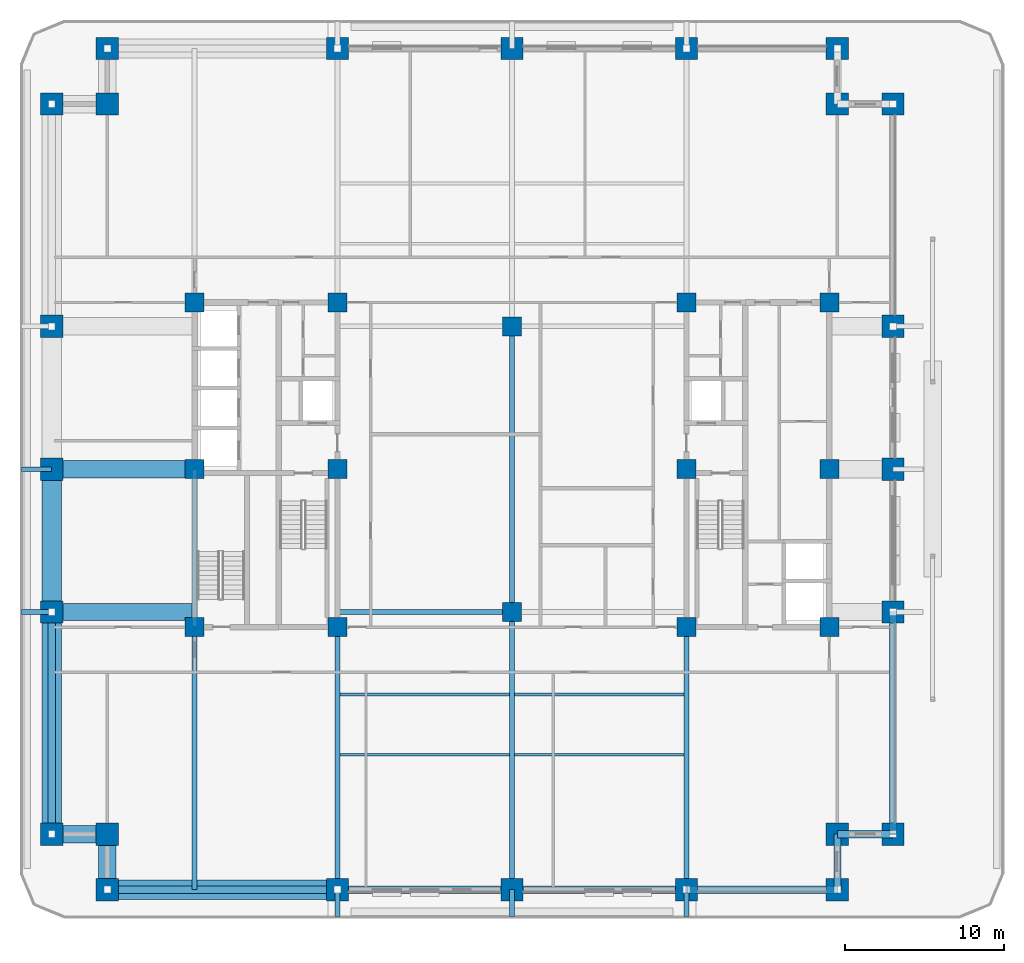
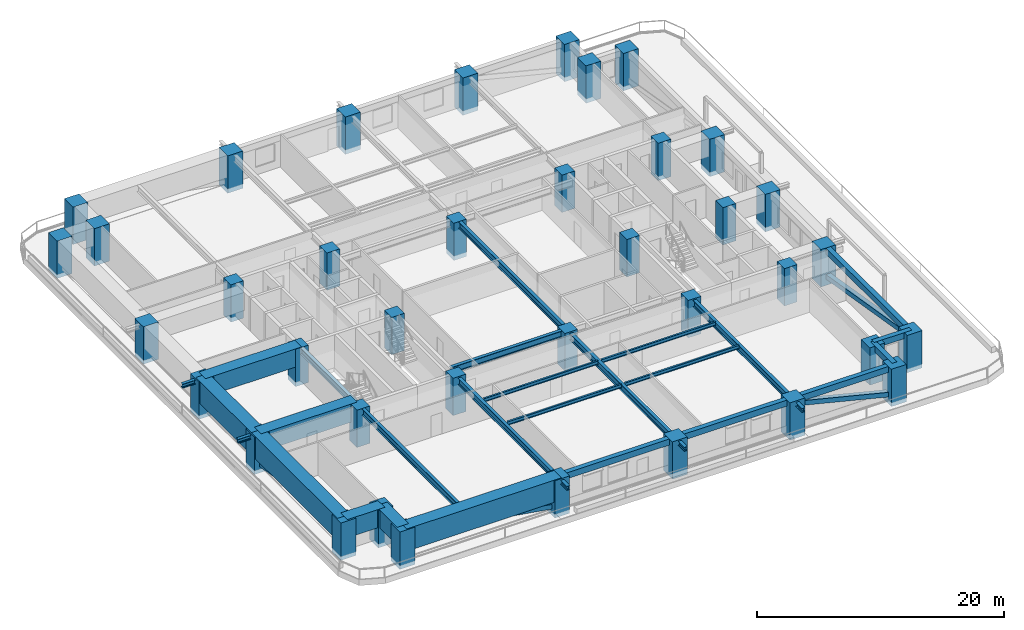
# One storey, part 1 of 18: 38 columns, 29 beams, 4 members.
"""IFC4 building model written with IfcOpenShell, lengths in metres."""

import ifcopenshell
import ifcopenshell.guid

model = None  # the IFC model being written
_history = None  # IfcOwnerHistory: only IFC2X3 demands one
_inside = {}  # id of a spatial element -> (the spatial element, [elements in it])
_under = {}  # id of a project, library or spatial element -> (it, [spatial elements below it])
_declared = {}  # id of a project -> (the project, [libraries it declares])
_typed = {}  # id of a type object -> (the type object, [elements of that type])
_made_of = {}  # id of a material, layer set ... -> (it, [elements and type objects made of it])


def new_model(schema):
    """Start an empty IFC model of exactly this schema.

    Asked for "IFC4X3", IfcOpenShell would pick the latest addendum, in which some entities
    have other attributes; the version numbers below select the first issue.
    IFC2X3 requires an IfcOwnerHistory on every rooted entity: one is made here for all.
    """
    global model, _history
    if schema == "IFC4X3":
        model = ifcopenshell.file(schema_version=(4, 3, 0, 0))
    else:
        model = ifcopenshell.file(schema=schema)
    _inside.clear()
    _under.clear()
    _declared.clear()
    _typed.clear()
    _made_of.clear()
    _history = None
    if model.schema == "IFC2X3":
        org = make("IfcOrganization", Name="unknown")
        user = make(
            "IfcPersonAndOrganization",
            ThePerson=make("IfcPerson", FamilyName="unknown"),
            TheOrganization=org,
        )
        app = make(
            "IfcApplication",
            ApplicationDeveloper=org,
            Version="unknown",
            ApplicationFullName="unknown",
            ApplicationIdentifier="unknown",
        )
        _history = make(
            "IfcOwnerHistory",
            OwningUser=user,
            OwningApplication=app,
            ChangeAction="ADDED",
            CreationDate=0,
        )
    return model


def make(cls, **values):
    """One entity of the class cls with the attributes given. An attribute that is None is left unset."""
    return model.create_entity(
        cls, **{name: value for name, value in values.items() if value is not None}
    )


def rooted(cls, **values):
    """An entity with a GlobalId (a new one), such as an element, a storey or a relation."""
    return make(cls, GlobalId=ifcopenshell.guid.new(), OwnerHistory=_history, **values)


def si_unit(unit_type, name, prefix=None):
    """IfcSIUnit, for example si_unit("LENGTHUNIT", "METRE", prefix="MILLI")."""
    return make("IfcSIUnit", UnitType=unit_type, Prefix=prefix, Name=name)


def assignment(units):
    """IfcUnitAssignment: the units of a project."""
    return None if units is None else make("IfcUnitAssignment", Units=units)


def point(xyz):
    """IfcCartesianPoint."""
    return None if xyz is None else make("IfcCartesianPoint", Coordinates=xyz)


def direction(xyz):
    """IfcDirection."""
    return None if xyz is None else make("IfcDirection", DirectionRatios=xyz)


def frame(location, z_axis=None, x_axis=None):
    """IfcAxis2Placement3D, a coordinate frame: its origin and axes. An axis left out is left unset."""
    return make(
        "IfcAxis2Placement3D",
        Location=point(location),
        Axis=direction(z_axis),
        RefDirection=direction(x_axis),
    )


def frame_2d(location, x_axis=None):
    """IfcAxis2Placement2D, a coordinate frame in the plane: its origin and x axis."""
    return make(
        "IfcAxis2Placement2D", Location=point(location), RefDirection=direction(x_axis)
    )


def origin():
    """The frame at (0, 0, 0) with its axes left unset."""
    return frame((0.0, 0.0, 0.0))


def origin_2d():
    """The frame at (0, 0) in the plane with its x axis left unset."""
    return frame_2d((0.0, 0.0))


def place(relative_to, where):
    """IfcLocalPlacement: puts the frame where relative to a parent placement (None: the world)."""
    return make(
        "IfcLocalPlacement", PlacementRelTo=relative_to, RelativePlacement=where
    )


def context(
    kind, dimensions, precision=None, world=None, true_north=None, identifier=None
):
    """IfcGeometricRepresentationContext, for example the 3D "Model" context."""
    return make(
        "IfcGeometricRepresentationContext",
        ContextIdentifier=identifier,
        ContextType=kind,
        CoordinateSpaceDimension=dimensions,
        Precision=precision,
        WorldCoordinateSystem=world,
        TrueNorth=true_north,
    )


def subcontext(parent, identifier, kind, view, scale=None):
    """IfcGeometricRepresentationSubContext, for example "Body" below "Model"."""
    return make(
        "IfcGeometricRepresentationSubContext",
        ContextIdentifier=identifier,
        ContextType=kind,
        ParentContext=parent,
        TargetScale=scale,
        TargetView=view,
    )


def project(units=None, contexts=None):
    """IfcProject with its units and contexts."""
    return rooted(
        "IfcProject",
        Name="project",
        RepresentationContexts=contexts,
        UnitsInContext=assignment(units),
    )


def spatial(cls, under=None, at=None, **own):
    """A site, building, storey or space (cls), placed at a placement, below another one or the project."""
    s = rooted(cls, ObjectPlacement=at, **own)
    if under is not None:
        _under.setdefault(under.id(), (under, []))[1].append(s)
    return s


def profile(cls, at=None, kind="AREA", **sizes):
    """A parametric profile (cls). Its sizes go by their IFC names, for example OverallWidth=200.0."""
    return make(cls, ProfileType=kind, Position=at, **sizes)


def rectangle(**sizes):
    """IfcRectangleProfileDef."""
    return profile("IfcRectangleProfileDef", **sizes)


def hollow_rectangle(**sizes):
    """IfcRectangleHollowProfileDef."""
    return profile("IfcRectangleHollowProfileDef", **sizes)


def i_section(**sizes):
    """IfcIShapeProfileDef."""
    return profile("IfcIShapeProfileDef", **sizes)


def extrude(swept, where, along, depth):
    """IfcExtrudedAreaSolid: the profile swept, set in the frame where, extruded along a direction by depth."""
    return make(
        "IfcExtrudedAreaSolid",
        SweptArea=swept,
        Position=where,
        ExtrudedDirection=direction(along),
        Depth=depth,
    )


def shape(context_of_items, identifier, shape_type, items):
    """IfcShapeRepresentation: the items that make up one representation, for example the "Body"."""
    return make(
        "IfcShapeRepresentation",
        ContextOfItems=context_of_items,
        RepresentationIdentifier=identifier,
        RepresentationType=shape_type,
        Items=items,
    )


def material(Name=None, Category=None):
    """IfcMaterial."""
    return make("IfcMaterial", Name=Name, Category=Category)


def material_profile(
    of_material, cross_section, Name=None, Category=None, Priority=None
):
    """IfcMaterialProfile: a cross section and its material."""
    return make(
        "IfcMaterialProfile",
        Name=Name,
        Material=of_material,
        Profile=cross_section,
        Priority=Priority,
        Category=Category,
    )


def profile_set(profiles, Name=None, composite=None):
    """IfcMaterialProfileSet."""
    return make(
        "IfcMaterialProfileSet",
        Name=Name,
        MaterialProfiles=profiles,
        CompositeProfile=composite,
    )


def made_of(thing, what):
    """Note that an element or type object is made of a material, layer set ...; save() writes the relation."""
    if what is not None:
        _made_of.setdefault(what.id(), (what, []))[1].append(thing)
    return thing


def type_object(cls, material=None, **own):
    """A type object (cls), such as IfcWallType, which elements share."""
    return made_of(rooted(cls, **own), material)


def element(
    cls,
    number,
    at=None,
    inside=None,
    cuts=None,
    type_object=None,
    material=None,
    context=None,
    identifier="Body",
    shape_type=None,
    held_by="IfcProductDefinitionShape",
    body=None,
    shapes=None,
    **own,
):
    """One element of the class cls, such as IfcWall. Its Tag is "e" and its number.

    at: its placement. inside: the storey or other place that contains it. cuts: it is an
    opening in that element (IfcRelVoidsElement). A single representation is given by context,
    identifier, shape_type and body (its items); several are given by shapes. held_by: the class
    of the entity that holds the representations. save() writes the other relations.
    """
    e = rooted(cls, Tag="e%d" % number, ObjectPlacement=at, **own)
    if body is not None:
        shapes = [shape(context, identifier, shape_type, body)]
    if shapes is not None:
        e.Representation = make(held_by, Representations=shapes)
    if inside is not None:
        _inside.setdefault(inside.id(), (inside, []))[1].append(e)
    if cuts is not None:
        rooted(
            "IfcRelVoidsElement", RelatingBuildingElement=cuts, RelatedOpeningElement=e
        )
    if type_object is not None:
        _typed.setdefault(type_object.id(), (type_object, []))[1].append(e)
    return made_of(e, material)


def aggregate(whole, parts):
    """IfcRelAggregates: a whole, such as a stair, and the parts it consists of."""
    return rooted("IfcRelAggregates", RelatingObject=whole, RelatedObjects=parts)


def save(model, path):
    """Write the relations noted so far, then the file.

    IfcRelAggregates (storeys below a building ...), IfcRelContainedInSpatialStructure (elements
    in a storey), IfcRelDefinesByType, IfcRelAssociatesMaterial and IfcRelDeclares: one each for
    every whole, place, type object, material and project.
    """
    for whole, parts in _under.values():
        aggregate(whole, parts)
    for where, things in _inside.values():
        rooted(
            "IfcRelContainedInSpatialStructure",
            RelatedElements=things,
            RelatingStructure=where,
        )
    for kind, things in _typed.values():
        rooted("IfcRelDefinesByType", RelatedObjects=things, RelatingType=kind)
    for what, things in _made_of.values():
        rooted("IfcRelAssociatesMaterial", RelatedObjects=things, RelatingMaterial=what)
    for by, libraries in _declared.values():
        rooted("IfcRelDeclares", RelatingContext=by, RelatedDefinitions=libraries)
    model.write(path)


model = new_model("IFC4")

# Units and contexts
model_context = context("Model", 3, precision=1e-05, world=origin(), true_north=direction((0.0, 1.0)))
body_context = subcontext(model_context, "Body", "Model", "MODEL_VIEW")
ifc_project = project(units=[si_unit("LENGTHUNIT", "METRE"), si_unit("AREAUNIT", "SQUARE_METRE"), si_unit("VOLUMEUNIT", "CUBIC_METRE"), si_unit("PLANEANGLEUNIT", "RADIAN"), si_unit("MASSUNIT", "GRAM", prefix="KILO")], contexts=[model_context])

# Site, building, storey
site_placement = place(None, origin())
site = spatial("IfcSite", under=ifc_project, at=site_placement, CompositionType="ELEMENT")
building_placement = place(site_placement, origin())
building = spatial("IfcBuilding", under=site, at=building_placement, Name="Zulmaris Gate Convention Tower", CompositionType="ELEMENT")
storey_placement = place(building_placement, frame((0.0, 0.0, 57.18994140625)))
storey = spatial("IfcBuildingStorey", under=building, at=storey_placement, Name="L13", CompositionType="ELEMENT", Elevation=57.18994140625)

# Columns
ifc_material_1 = material(Name="Concrete C70/85", Category="concrete")
ifc_material_profile_1 = material_profile(ifc_material_1, rectangle(XDim=1.199951171875, YDim=1.199951171875, at=origin_2d()), Name="RC COL 1200x1200")
ifc_profile_set_1 = profile_set([ifc_material_profile_1], Name="Concrete C70/85")
column_type_1 = type_object("IfcColumnType", Name="COL-RC1200", PredefinedType="COLUMN", material=ifc_profile_set_1)
for number, where, z_axis, x_axis, name in (
    (1, (-20.0, -9.949951171875, -0.425048828125), (0.0, 0.0, 1.0), (1.0, 0.0, 0.0), "L13 Column IN--20.00_-9.95"),
    (2, (-20.0, 10.5, -0.425048828125), (0.0, 0.0, 1.0), (1.0, 0.0, 0.0), "L13 Column IN--20.00_+10.50"),
    (3, (-11.0, -9.949951171875, -0.425048828125), (0.0, 0.0, 1.0), (1.0, 0.0, 0.0), "L13 Column IN--11.00_-9.95"),
    (4, (-11.0, 0.0, -0.425048828125), (0.0, 0.0, 1.0), (1.0, 0.0, 0.0), "L13 Column IN--11.00_+0.00"),
    (5, (-11.0, 10.5, -0.425048828125), (0.0, 0.0, 1.0), (1.0, 0.0, 0.0), "L13 Column IN--11.00_+10.50"),
    (6, (11.0, -9.949951171875, -0.425048828125), (0.0, 0.0, 1.0), (1.0, 0.0, 0.0), "L13 Column IN-+11.00_-9.95"),
    (7, (11.0, 0.0, -0.425048828125), (0.0, 0.0, 1.0), (1.0, 0.0, 0.0), "L13 Column IN-+11.00_+0.00"),
    (8, (11.0, 10.5, -0.425048828125), (0.0, 0.0, 1.0), (1.0, 0.0, 0.0), "L13 Column IN-+11.00_+10.50"),
    (9, (20.0, -9.949951171875, -0.425048828125), (0.0, 0.0, 1.0), (1.0, 0.0, 0.0), "L13 Column IN-+20.00_-9.95"),
    (10, (20.0, 10.5, -0.425048828125), (0.0, 0.0, 1.0), (1.0, 0.0, 0.0), "L13 Column IN-+20.00_+10.50"),
    (11, (0.0, -9.0, -0.425048828125), (0.0, 0.0, 1.0), (1.0, 0.0, 0.0), "L13 Column IN-+0.00_-9.00"),
    (12, (0.0, 9.0, -0.425048828125), (0.0, 0.0, 1.0), (1.0, 0.0, 0.0), "L13 Column IN-+0.00_+9.00"),
    (13, (-20.0, 0.0, -0.425048828125), (0.0, 0.0, 1.0), (1.0, 0.0, 0.0), "L13 Column IN--20.00_+0.00"),
    (14, (20.0, 0.0, -0.425048828125), (0.0, 0.0, 1.0), (1.0, 0.0, 0.0), "L13 Column IN-+20.00_+0.00"),
):
    element("IfcColumn", number, at=place(storey_placement, frame(where, z_axis=z_axis, x_axis=x_axis)), inside=storey, type_object=column_type_1, Name=name, PredefinedType="COLUMN", context=body_context, shape_type="SweptSolid", body=[
        extrude(rectangle(XDim=1.199951171875, YDim=1.199951171875, at=origin_2d()), origin(), (0.0, 0.0, 1.0), 3.695068359375),
    ])
ifc_material_2 = material(Name="Concrete C80/95", Category="concrete")
ifc_material_profile_2 = material_profile(ifc_material_2, rectangle(XDim=1.39990234375, YDim=1.39990234375, at=origin_2d()), Name="RC COL 1400x1400")
ifc_profile_set_2 = profile_set([ifc_material_profile_2], Name="Concrete C80/95")
column_type_2 = type_object("IfcColumnType", Name="COL-RC1400", PredefinedType="COLUMN", material=ifc_profile_set_2)
for number, where, z_axis, x_axis, name in (
    (15, (-25.5, -26.5, -0.425048828125), (0.0, 0.0, 1.0), (1.0, 0.0, 0.0), "L13 Column PT--25.50_-26.50"),
    (16, (-11.0, -26.5, -0.425048828125), (0.0, 0.0, 1.0), (1.0, 0.0, 0.0), "L13 Column PT--11.00_-26.50"),
    (17, (0.0, -26.5, -0.425048828125), (0.0, 0.0, 1.0), (1.0, 0.0, 0.0), "L13 Column PT-+0.00_-26.50"),
    (18, (11.0, -26.5, -0.425048828125), (0.0, 0.0, 1.0), (1.0, 0.0, 0.0), "L13 Column PT-+11.00_-26.50"),
    (19, (20.5, -26.5, -0.425048828125), (0.0, 0.0, 1.0), (1.0, 0.0, 0.0), "L13 Column PT-+20.50_-26.50"),
    (20, (-25.5, 26.5, -0.425048828125), (0.0, 0.0, 1.0), (1.0, 0.0, 0.0), "L13 Column PT--25.50_+26.50"),
    (21, (-11.0, 26.5, -0.425048828125), (0.0, 0.0, 1.0), (1.0, 0.0, 0.0), "L13 Column PT--11.00_+26.50"),
    (22, (0.0, 26.5, -0.425048828125), (0.0, 0.0, 1.0), (1.0, 0.0, 0.0), "L13 Column PT-+0.00_+26.50"),
    (23, (11.0, 26.5, -0.425048828125), (0.0, 0.0, 1.0), (1.0, 0.0, 0.0), "L13 Column PT-+11.00_+26.50"),
    (24, (20.5, 26.5, -0.425048828125), (0.0, 0.0, 1.0), (1.0, 0.0, 0.0), "L13 Column PT-+20.50_+26.50"),
    (25, (-29.0, -23.0, -0.425048828125), (0.0, 0.0, 1.0), (1.0, 0.0, 0.0), "L13 Column PT--29.00_-23.00"),
    (26, (-29.0, -9.0, -0.425048828125), (0.0, 0.0, 1.0), (1.0, 0.0, 0.0), "L13 Column PT--29.00_-9.00"),
    (27, (-29.0, 0.0, -0.425048828125), (0.0, 0.0, 1.0), (1.0, 0.0, 0.0), "L13 Column PT--29.00_+0.00"),
    (28, (-29.0, 9.0, -0.425048828125), (0.0, 0.0, 1.0), (1.0, 0.0, 0.0), "L13 Column PT--29.00_+9.00"),
    (29, (-29.0, 23.0, -0.425048828125), (0.0, 0.0, 1.0), (1.0, 0.0, 0.0), "L13 Column PT--29.00_+23.00"),
    (30, (24.0, -23.0, -0.425048828125), (0.0, 0.0, 1.0), (1.0, 0.0, 0.0), "L13 Column PT-+24.00_-23.00"),
    (31, (24.0, -9.0, -0.425048828125), (0.0, 0.0, 1.0), (1.0, 0.0, 0.0), "L13 Column PT-+24.00_-9.00"),
    (32, (24.0, 0.0, -0.425048828125), (0.0, 0.0, 1.0), (1.0, 0.0, 0.0), "L13 Column PT-+24.00_+0.00"),
    (33, (24.0, 9.0, -0.425048828125), (0.0, 0.0, 1.0), (1.0, 0.0, 0.0), "L13 Column PT-+24.00_+9.00"),
    (34, (24.0, 23.0, -0.425048828125), (0.0, 0.0, 1.0), (1.0, 0.0, 0.0), "L13 Column PT-+24.00_+23.00"),
    (35, (-25.5, -23.0, -0.425048828125), (0.0, 0.0, 1.0), (1.0, 0.0, 0.0), "L13 Column PT--25.50_-23.00"),
    (36, (20.5, -23.0, -0.425048828125), (0.0, 0.0, 1.0), (1.0, 0.0, 0.0), "L13 Column PT-+20.50_-23.00"),
    (37, (20.5, 23.0, -0.425048828125), (0.0, 0.0, 1.0), (1.0, 0.0, 0.0), "L13 Column PT-+20.50_+23.00"),
    (38, (-25.5, 23.0, -0.425048828125), (0.0, 0.0, 1.0), (1.0, 0.0, 0.0), "L13 Column PT--25.50_+23.00"),
):
    element("IfcColumn", number, at=place(storey_placement, frame(where, z_axis=z_axis, x_axis=x_axis)), inside=storey, type_object=column_type_2, Name=name, PredefinedType="COLUMN", context=body_context, shape_type="SweptSolid", body=[
        extrude(rectangle(XDim=1.39990234375, YDim=1.39990234375, at=origin_2d()), origin(), (0.0, 0.0, 1.0), 3.695068359375),
    ])

# Beams
ifc_material_3 = material(Name="Steel S355", Category="steel")
ifc_material_profile_3 = material_profile(ifc_material_3, i_section(OverallWidth=0.300048828125, OverallDepth=0.39990234375, WebThickness=0.013427734375, FlangeThickness=0.02392578125, FilletRadius=0.027099609375, at=origin_2d()), Name="HEB 400")
ifc_profile_set_3 = profile_set([ifc_material_profile_3], Name="Steel S355")
beam_type_1 = type_object("IfcBeamType", Name="BM-HEB400", PredefinedType="BEAM", material=ifc_profile_set_3)
for number, where, z_axis, x_axis, name in (
    (39, (-11.0, -28.199951171875, 2.93017578125), (0.0, 1.0, 0.0), (-1.0, 0.0, 0.0), "L13 Beam TBRK-L13-S--11"),
    (40, (0.0, -28.199951171875, 2.93017578125), (0.0, 1.0, 0.0), (-1.0, 0.0, 0.0), "L13 Beam TBRK-L13-S-+0"),
    (41, (11.0, -28.199951171875, 2.93017578125), (0.0, 1.0, 0.0), (-1.0, 0.0, 0.0), "L13 Beam TBRK-L13-S-+11"),
):
    element("IfcBeam", number, at=place(storey_placement, frame(where, z_axis=z_axis, x_axis=x_axis)), inside=storey, type_object=beam_type_1, Name=name, PredefinedType="BEAM", context=body_context, shape_type="SweptSolid", body=[
        extrude(i_section(OverallWidth=0.300048828125, OverallDepth=0.39990234375, WebThickness=0.013427734375, FlangeThickness=0.02392578125, FilletRadius=0.027099609375, at=origin_2d()), origin(), (0.0, 0.0, 1.0), 1.699951171875),
    ])
for number, where, z_axis, x_axis, name in (
    (42, (-30.89990234375, -9.0, 2.93017578125), (1.0, 0.0, 0.0), (0.0, 1.0, 0.0), "L13 Beam TBRK-L13-W--9"),
    (43, (-30.89990234375, 0.0, 2.93017578125), (1.0, 0.0, 0.0), (0.0, 1.0, 0.0), "L13 Beam TBRK-L13-W-+0"),
):
    element("IfcBeam", number, at=place(storey_placement, frame(where, z_axis=z_axis, x_axis=x_axis)), inside=storey, type_object=beam_type_1, Name=name, PredefinedType="BEAM", context=body_context, shape_type="SweptSolid", body=[
        extrude(i_section(OverallWidth=0.300048828125, OverallDepth=0.39990234375, WebThickness=0.013427734375, FlangeThickness=0.02392578125, FilletRadius=0.027099609375, at=origin_2d()), origin(), (0.0, 0.0, 1.0), 1.89990234375),
    ])
ifc_material_profile_4 = material_profile(ifc_material_3, i_section(OverallWidth=0.300048828125, OverallDepth=0.64990234375, WebThickness=0.01611328125, FlangeThickness=0.031005859375, FilletRadius=0.027099609375, at=origin_2d()), Name="HEB 650")
ifc_profile_set_4 = profile_set([ifc_material_profile_4], Name="Steel S355")
beam_type_2 = type_object("IfcBeamType", Name="BM-HEB650", PredefinedType="BEAM", material=ifc_profile_set_4)
beam_1_placement = place(storey_placement, frame((-11.0, -9.0, 2.943115234375), z_axis=(1.0, 0.0, 0.0), x_axis=(0.0, 1.0, 0.0)))
element("IfcBeam", 44, at=beam_1_placement, inside=storey, type_object=beam_type_2, Name="L13 Beam BM-L13-G01", PredefinedType="BEAM", context=body_context, shape_type="SweptSolid", body=[
    extrude(i_section(OverallWidth=0.300048828125, OverallDepth=0.64990234375, WebThickness=0.01611328125, FlangeThickness=0.031005859375, FilletRadius=0.027099609375, at=origin_2d()), origin(), (0.0, 0.0, 1.0), 11.0),
])
beam_2_placement = place(storey_placement, frame((0.0, -26.5, 2.818115234375), z_axis=(0.0, 1.0, 0.0), x_axis=(-1.0, 0.0, 0.0)))
element("IfcBeam", 45, at=beam_2_placement, inside=storey, type_object=beam_type_2, Name="L13 Beam BM-L13-G05", PredefinedType="BEAM", context=body_context, shape_type="SweptSolid", body=[
    extrude(i_section(OverallWidth=0.300048828125, OverallDepth=0.64990234375, WebThickness=0.01611328125, FlangeThickness=0.031005859375, FilletRadius=0.027099609375, at=origin_2d()), origin(), (0.0, 0.0, 1.0), 17.5),
])
beam_3_placement = place(storey_placement, frame((0.0, -9.0, 2.943115234375), z_axis=(0.0, 1.0, 0.0), x_axis=(-1.0, 0.0, 0.0)))
element("IfcBeam", 46, at=beam_3_placement, inside=storey, type_object=beam_type_2, Name="L13 Beam BM-L13-G06", PredefinedType="BEAM", context=body_context, shape_type="SweptSolid", body=[
    extrude(i_section(OverallWidth=0.300048828125, OverallDepth=0.64990234375, WebThickness=0.01611328125, FlangeThickness=0.031005859375, FilletRadius=0.027099609375, at=origin_2d()), origin(), (0.0, 0.0, 1.0), 18.0),
])
for number, where, z_axis, x_axis, name in (
    (47, (-11.0, -26.5, 2.818115234375), (0.0, 1.0, 0.0), (-1.0, 0.0, 0.0), "L13 Beam BM-L13-G08"),
    (48, (11.0, -26.5, 2.818115234375), (0.0, 1.0, 0.0), (-1.0, 0.0, 0.0), "L13 Beam BM-L13-G10"),
    (49, (-20.0, -26.5, 2.943115234375), (0.0, 1.0, 0.0), (-1.0, 0.0, 0.0), "L13 Beam BM-L13-G12"),
):
    element("IfcBeam", number, at=place(storey_placement, frame(where, z_axis=z_axis, x_axis=x_axis)), inside=storey, type_object=beam_type_2, Name=name, PredefinedType="BEAM", context=body_context, shape_type="SweptSolid", body=[
        extrude(i_section(OverallWidth=0.300048828125, OverallDepth=0.64990234375, WebThickness=0.01611328125, FlangeThickness=0.031005859375, FilletRadius=0.027099609375, at=origin_2d()), origin(), (0.0, 0.0, 1.0), 16.550048828125),
    ])
beam_4_placement = place(storey_placement, frame((-20.0, -9.949951171875, 2.943115234375), z_axis=(0.0, 1.0, 0.0), x_axis=(-1.0, 0.0, 0.0)))
element("IfcBeam", 50, at=beam_4_placement, inside=storey, type_object=beam_type_2, Name="L13 Beam BM-L13-G26", PredefinedType="BEAM", context=body_context, shape_type="SweptSolid", body=[
    extrude(i_section(OverallWidth=0.300048828125, OverallDepth=0.64990234375, WebThickness=0.01611328125, FlangeThickness=0.031005859375, FilletRadius=0.027099609375, at=origin_2d()), origin(), (0.0, 0.0, 1.0), 9.949951171875),
])
ifc_material_4 = material(Name="Precast concrete C50/60", Category="concrete")
ifc_material_profile_5 = material_profile(ifc_material_4, rectangle(XDim=0.449951171875, YDim=0.60009765625, at=origin_2d()), Name="RC SPANDREL 450x600")
ifc_profile_set_5 = profile_set([ifc_material_profile_5], Name="Precast concrete C50/60")
beam_type_3 = type_object("IfcBeamType", Name="BM-SP450x600", PredefinedType="SPANDREL", material=ifc_profile_set_5)
for number, where, z_axis, x_axis, name in (
    (51, (-11.0, -26.5, 2.969970703125), (1.0, 0.0, 0.0), (0.0, 1.0, 0.0), "L13 Spandrel SP-L13-02"),
    (52, (0.0, -26.5, 2.969970703125), (1.0, 0.0, 0.0), (0.0, 1.0, 0.0), "L13 Spandrel SP-L13-03"),
):
    element("IfcBeam", number, at=place(storey_placement, frame(where, z_axis=z_axis, x_axis=x_axis)), inside=storey, type_object=beam_type_3, Name=name, PredefinedType="SPANDREL", context=body_context, shape_type="SweptSolid", body=[
        extrude(rectangle(XDim=0.449951171875, YDim=0.60009765625, at=origin_2d()), origin(), (0.0, 0.0, 1.0), 11.0),
    ])
beam_5_placement = place(storey_placement, frame((11.0, -26.5, 2.969970703125), z_axis=(1.0, 0.0, 0.0), x_axis=(0.0, 1.0, 0.0)))
element("IfcBeam", 53, at=beam_5_placement, inside=storey, type_object=beam_type_3, Name="L13 Spandrel SP-L13-04", PredefinedType="SPANDREL", context=body_context, shape_type="SweptSolid", body=[
    extrude(rectangle(XDim=0.449951171875, YDim=0.60009765625, at=origin_2d()), origin(), (0.0, 0.0, 1.0), 9.5),
])
for number, where, z_axis, x_axis, name in (
    (54, (20.5, -26.5, 2.969970703125), (0.0, 1.0, 0.0), (-1.0, 0.0, 0.0), "L13 Spandrel SP-L13-05"),
    (55, (20.5, -23.0, 2.969970703125), (1.0, 0.0, 0.0), (0.0, 1.0, 0.0), "L13 Spandrel SP-L13-06"),
):
    element("IfcBeam", number, at=place(storey_placement, frame(where, z_axis=z_axis, x_axis=x_axis)), inside=storey, type_object=beam_type_3, Name=name, PredefinedType="SPANDREL", context=body_context, shape_type="SweptSolid", body=[
        extrude(rectangle(XDim=0.449951171875, YDim=0.60009765625, at=origin_2d()), origin(), (0.0, 0.0, 1.0), 3.5),
    ])
beam_6_placement = place(storey_placement, frame((24.0, -23.0, 2.969970703125), z_axis=(0.0, 1.0, 0.0), x_axis=(-1.0, 0.0, 0.0)))
element("IfcBeam", 56, at=beam_6_placement, inside=storey, type_object=beam_type_3, Name="L13 Spandrel SP-L13-07", PredefinedType="SPANDREL", context=body_context, shape_type="SweptSolid", body=[
    extrude(rectangle(XDim=0.449951171875, YDim=0.60009765625, at=origin_2d()), origin(), (0.0, 0.0, 1.0), 14.0),
])
ifc_material_profile_6 = material_profile(ifc_material_2, rectangle(XDim=1.10009765625, YDim=1.800048828125, at=origin_2d()), Name="RC TRANSFER 1100x1800")
ifc_profile_set_6 = profile_set([ifc_material_profile_6], Name="Concrete C80/95")
beam_type_4 = type_object("IfcBeamType", Name="BM-XFER1800", PredefinedType="BEAM", material=ifc_profile_set_6)
for number, where, z_axis, x_axis, name in (
    (57, (-29.0, -23.0, 2.3701171875), (1.0, 0.0, 0.0), (0.0, 1.0, 0.0), "L13 Beam SP-L13-23"),
    (58, (-25.5, -23.0, 2.3701171875), (0.0, -1.0, 0.0), (1.0, 0.0, 0.0), "L13 Beam SP-L13-24"),
):
    element("IfcBeam", number, at=place(storey_placement, frame(where, z_axis=z_axis, x_axis=x_axis)), inside=storey, type_object=beam_type_4, Name=name, PredefinedType="BEAM", context=body_context, shape_type="SweptSolid", body=[
        extrude(rectangle(XDim=1.10009765625, YDim=1.800048828125, at=origin_2d()), origin(), (0.0, 0.0, 1.0), 3.5),
    ])
for number, where, z_axis, x_axis, name in (
    (59, (-29.0, -9.0, 2.3701171875), (1.0, 0.0, 0.0), (0.0, 1.0, 0.0), "L13 Beam BM-L13-G16"),
    (60, (-29.0, 0.0, 2.3701171875), (1.0, 0.0, 0.0), (0.0, 1.0, 0.0), "L13 Beam BM-L13-G17"),
):
    element("IfcBeam", number, at=place(storey_placement, frame(where, z_axis=z_axis, x_axis=x_axis)), inside=storey, type_object=beam_type_4, Name=name, PredefinedType="BEAM", context=body_context, shape_type="SweptSolid", body=[
        extrude(rectangle(XDim=1.10009765625, YDim=1.800048828125, at=origin_2d()), origin(), (0.0, 0.0, 1.0), 9.0),
    ])
ifc_material_profile_7 = material_profile(ifc_material_2, rectangle(XDim=1.199951171875, YDim=2.199951171875, at=origin_2d()), Name="RC TRANSFER 1200x2200")
ifc_profile_set_7 = profile_set([ifc_material_profile_7], Name="Concrete C80/95")
beam_type_5 = type_object("IfcBeamType", Name="BM-XFER2200", PredefinedType="BEAM", material=ifc_profile_set_7)
beam_7_placement = place(storey_placement, frame((-25.5, -26.5, 2.170166015625), z_axis=(1.0, 0.0, 0.0), x_axis=(0.0, 1.0, 0.0)))
element("IfcBeam", 61, at=beam_7_placement, inside=storey, type_object=beam_type_5, Name="L13 Beam SP-L13-01", PredefinedType="BEAM", context=body_context, shape_type="SweptSolid", body=[
    extrude(rectangle(XDim=1.199951171875, YDim=2.199951171875, at=origin_2d()), origin(), (0.0, 0.0, 1.0), 14.5),
])
beam_8_placement = place(storey_placement, frame((-29.0, 0.0, 2.170166015625), z_axis=(0.0, -1.0, 0.0), x_axis=(1.0, 0.0, 0.0)))
element("IfcBeam", 62, at=beam_8_placement, inside=storey, type_object=beam_type_5, Name="L13 Beam SP-L13-21", PredefinedType="BEAM", context=body_context, shape_type="SweptSolid", body=[
    extrude(rectangle(XDim=1.199951171875, YDim=2.199951171875, at=origin_2d()), origin(), (0.0, 0.0, 1.0), 9.0),
])
beam_9_placement = place(storey_placement, frame((-29.0, -9.0, 2.170166015625), z_axis=(0.0, -1.0, 0.0), x_axis=(1.0, 0.0, 0.0)))
element("IfcBeam", 63, at=beam_9_placement, inside=storey, type_object=beam_type_5, Name="L13 Beam SP-L13-22", PredefinedType="BEAM", context=body_context, shape_type="SweptSolid", body=[
    extrude(rectangle(XDim=1.199951171875, YDim=2.199951171875, at=origin_2d()), origin(), (0.0, 0.0, 1.0), 14.0),
])

# Members
ifc_material_5 = material(Name="Steel S460", Category="steel")
ifc_material_profile_8 = material_profile(ifc_material_5, hollow_rectangle(XDim=0.449951171875, YDim=0.449951171875, WallThickness=0.02490234375, at=origin_2d()), Name="SHS 450x450x25")
ifc_profile_set_8 = profile_set([ifc_material_profile_8], Name="Steel S460")
member_type = type_object("IfcMemberType", Name="BR-SHS450", PredefinedType="BRACE", material=ifc_profile_set_8)
for number, where, z_axis, x_axis, name in (
    (64, (-29.0, -9.0, 0.300048828125), (0.0, -0.986201752628, 0.165547887674), (1.0, 0.0, 0.0), "L13 Perimeter Tube Diagonal SW-W"),
    (65, (24.0, -9.0, 0.300048828125), (0.0, -0.986201752628, 0.165547887674), (1.0, 0.0, 0.0), "L13 Perimeter Tube Diagonal SE-E"),
):
    element("IfcMember", number, at=place(storey_placement, frame(where, z_axis=z_axis, x_axis=x_axis)), inside=storey, type_object=member_type, Name=name, PredefinedType="BRACE", context=body_context, shape_type="SweptSolid", body=[
        extrude(hollow_rectangle(XDim=0.449951171875, YDim=0.449951171875, WallThickness=0.02490234375, at=origin_2d()), origin(), (0.0, 0.0, 1.0), 14.19580078125),
    ])
member_1_placement = place(storey_placement, frame((-11.0, -26.5, 0.300048828125), z_axis=(-0.987118959838, 0.0, 0.159987996825), x_axis=(0.0, -1.0, 0.0)))
element("IfcMember", 66, at=member_1_placement, inside=storey, type_object=member_type, Name="L13 Perimeter Tube Diagonal SW-S", PredefinedType="BRACE", context=body_context, shape_type="SweptSolid", body=[
    extrude(hollow_rectangle(XDim=0.449951171875, YDim=0.449951171875, WallThickness=0.02490234375, at=origin_2d()), origin(), (0.0, 0.0, 1.0), 14.689208984375),
])
member_2_placement = place(storey_placement, frame((20.5, -26.5, 0.300048828125), z_axis=(-0.97073827245, 0.0, 0.240139972518), x_axis=(0.0, -1.0, 0.0)))
element("IfcMember", 67, at=member_2_placement, inside=storey, type_object=member_type, Name="L13 Perimeter Tube Diagonal SE-S", PredefinedType="BRACE", context=body_context, shape_type="SweptSolid", body=[
    extrude(hollow_rectangle(XDim=0.449951171875, YDim=0.449951171875, WallThickness=0.02490234375, at=origin_2d()), origin(), (0.0, 0.0, 1.0), 9.786376953125),
])

# Beams
ifc_material_profile_9 = material_profile(ifc_material_3, i_section(OverallWidth=0.169921875, OverallDepth=0.360107421875, WebThickness=0.008056640625, FlangeThickness=0.0126953125, FilletRadius=0.01806640625, at=origin_2d()), Name="IPE 360")
ifc_profile_set_9 = profile_set([ifc_material_profile_9], Name="Steel S355")
beam_type_6 = type_object("IfcBeamType", Name="JT-IPE360", PredefinedType="JOIST", material=ifc_profile_set_9)
for number, where, z_axis, x_axis, name in (
    (68, (-10.85009765625, -18.0, 3.088134765625), (1.0, 0.0, 0.0), (0.0, 1.0, 0.0), "L13 Joist JT-L13-CW--18.0"),
    (69, (0.14990234375, -18.0, 3.088134765625), (1.0, 0.0, 0.0), (0.0, 1.0, 0.0), "L13 Joist JT-L13-CE--18.0"),
    (70, (-10.85009765625, -14.199951171875, 3.088134765625), (1.0, 0.0, 0.0), (0.0, 1.0, 0.0), "L13 Joist JT-L13-CW--14.2"),
    (71, (0.14990234375, -14.199951171875, 3.088134765625), (1.0, 0.0, 0.0), (0.0, 1.0, 0.0), "L13 Joist JT-L13-CE--14.2"),
):
    element("IfcBeam", number, at=place(storey_placement, frame(where, z_axis=z_axis, x_axis=x_axis)), inside=storey, type_object=beam_type_6, Name=name, PredefinedType="JOIST", context=body_context, shape_type="SweptSolid", body=[
        extrude(i_section(OverallWidth=0.169921875, OverallDepth=0.360107421875, WebThickness=0.008056640625, FlangeThickness=0.0126953125, FilletRadius=0.01806640625, at=origin_2d()), origin(), (0.0, 0.0, 1.0), 10.7001953125),
    ])

save(model, "model.ifc")
